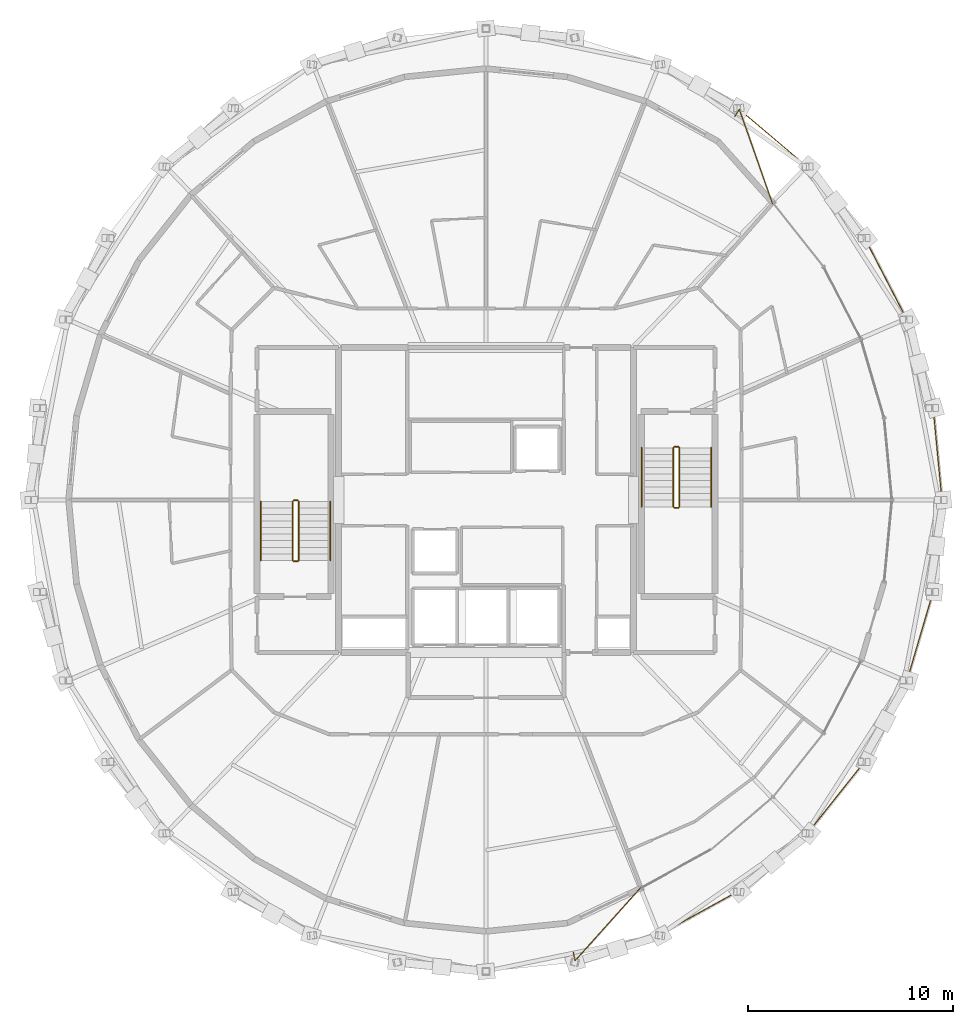
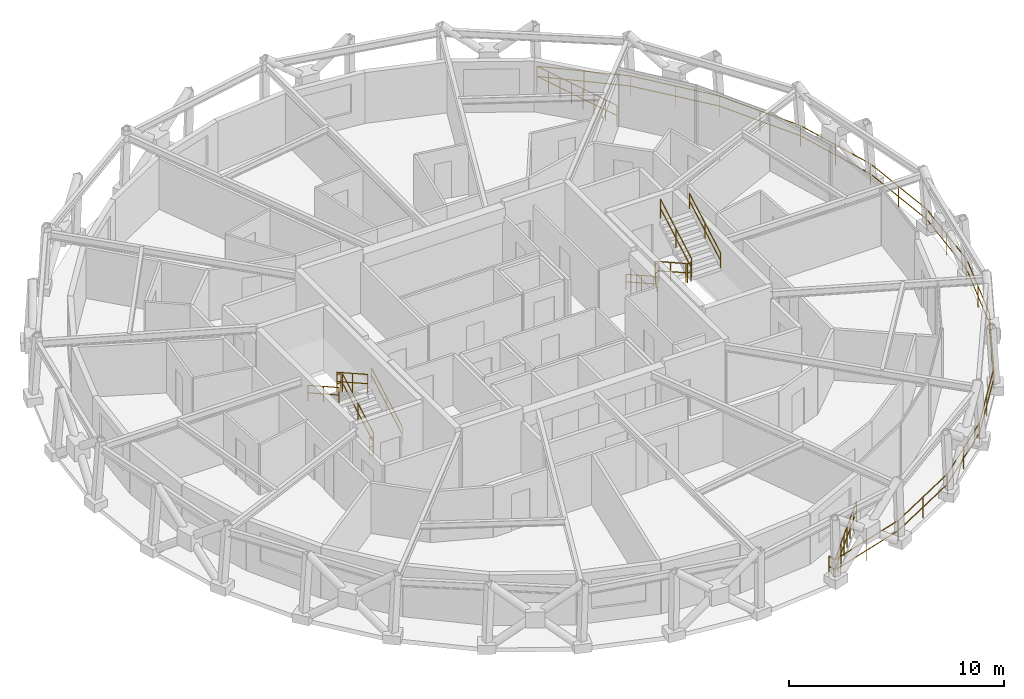
# One storey, part 15 of 15: 15 railings.
"""IFC4 building model written with IfcOpenShell, lengths in metres."""

from ifc_helpers import new_model, si_unit, direction, frame, origin, origin_2d, place, context, subcontext, project, spatial, circle, extrude, material, type_object, element, save


model = new_model("IFC4")

# Units and contexts
model_context = context("Model", 3, precision=1e-05, world=origin(), true_north=direction((0.0, 1.0)))
body_context = subcontext(model_context, "Body", "Model", "MODEL_VIEW")
ifc_project = project(units=[si_unit("LENGTHUNIT", "METRE"), si_unit("AREAUNIT", "SQUARE_METRE"), si_unit("VOLUMEUNIT", "CUBIC_METRE"), si_unit("PLANEANGLEUNIT", "RADIAN"), si_unit("MASSUNIT", "GRAM", prefix="KILO")], contexts=[model_context])

# Site, building, storey
site_placement = place(None, origin())
site = spatial("IfcSite", under=ifc_project, at=site_placement, CompositionType="ELEMENT")
building_placement = place(site_placement, origin())
building = spatial("IfcBuilding", under=site, at=building_placement, Name="Veldorina Hangang Commons", CompositionType="ELEMENT")
storey_placement = place(building_placement, frame((0.0, 0.0, 258.0)))
storey = spatial("IfcBuildingStorey", under=building, at=storey_placement, Name="L67", CompositionType="ELEMENT", Elevation=258.0)

# Railings
ifc_material_1 = material(Name="Glass Laminated Safety Balustrade", Category="glass")
railing_type_1 = type_object("IfcRailingType", Name="RL-BAL-LOGGIA", PredefinedType="BALUSTRADE", material=ifc_material_1)
railing_1_placement = place(storey_placement, frame((36.26611328125, 1.900146484375, 0.0)))
element("IfcRailing", 1, at=railing_1_placement, inside=storey, type_object=railing_type_1, Name="L67 sky-garden loggia end balustrade A", PredefinedType="BALUSTRADE", context=body_context, shape_type="SweptSolid", body=[
    extrude(circle(Radius=0.02392578125, at=origin_2d()), frame((0.0, 0.0, 1.17578125), z_axis=(0.189515762709, -0.981877678575, 0.0), x_axis=(0.981877678575, 0.189515762709, 0.0)), (0.0, 0.0, 1.0), 0.419921875),
    extrude(circle(Radius=0.02392578125, at=origin_2d()), frame((0.0, 0.0, 0.60009765625), z_axis=(0.189515762709, -0.981877678575, 0.0), x_axis=(0.981877678575, 0.189515762709, 0.0)), (0.0, 0.0, 1.0), 0.419921875),
    extrude(circle(Radius=0.02392578125, at=origin_2d()), frame((0.07958984375, -0.412353515625, 1.17578125), z_axis=(0.667973578139, 0.744184989709, 0.0), x_axis=(-0.744184989709, 0.667973578139, 0.0)), (0.0, 0.0, 1.0), 4.833984375),
    extrude(circle(Radius=0.02392578125, at=origin_2d()), frame((0.07958984375, -0.412353515625, 0.60009765625), z_axis=(0.667973578139, 0.744184989709, 0.0), x_axis=(-0.744184989709, 0.667973578139, 0.0)), (0.0, 0.0, 1.0), 4.833984375),
    extrude(circle(Radius=0.02099609375, at=origin_2d()), origin(), (0.0, 0.0, 1.0), 1.15185546875),
    extrude(circle(Radius=0.02099609375, at=origin_2d()), frame((0.07958984375, -0.412353515625, 0.0)), (0.0, 0.0, 1.0), 1.15185546875),
    extrude(circle(Radius=0.02099609375, at=origin_2d()), frame((0.540771484375, 0.1015625, 0.0)), (0.0, 0.0, 1.0), 1.15185546875),
    extrude(circle(Radius=0.02099609375, at=origin_2d()), frame((1.002197265625, 0.615478515625, 0.0)), (0.0, 0.0, 1.0), 1.15185546875),
    extrude(circle(Radius=0.02099609375, at=origin_2d()), frame((1.46337890625, 1.12939453125, 0.0)), (0.0, 0.0, 1.0), 1.15185546875),
    extrude(circle(Radius=0.02099609375, at=origin_2d()), frame((1.9248046875, 1.643310546875, 0.0)), (0.0, 0.0, 1.0), 1.15185546875),
    extrude(circle(Radius=0.02099609375, at=origin_2d()), frame((2.385986328125, 2.1572265625, 0.0)), (0.0, 0.0, 1.0), 1.15185546875),
    extrude(circle(Radius=0.02099609375, at=origin_2d()), frame((2.847412109375, 2.671142578125, 0.0)), (0.0, 0.0, 1.0), 1.15185546875),
    extrude(circle(Radius=0.02099609375, at=origin_2d()), frame((3.30859375, 3.18505859375, 0.0)), (0.0, 0.0, 1.0), 1.15185546875),
])
railing_2_placement = place(storey_placement, frame((44.146484375, 42.73193359375, 0.0)))
element("IfcRailing", 2, at=railing_2_placement, inside=storey, type_object=railing_type_1, Name="L67 sky-garden loggia end balustrade B", PredefinedType="BALUSTRADE", context=body_context, shape_type="SweptSolid", body=[
    extrude(circle(Radius=0.02392578125, at=origin_2d()), frame((0.0, 0.0, 1.17578125), z_axis=(0.543925765735, 0.839133339446, 0.0), x_axis=(-0.839133339446, 0.543925765735, 0.0)), (0.0, 0.0, 1.0), 0.420166015625),
    extrude(circle(Radius=0.02392578125, at=origin_2d()), frame((0.0, 0.0, 0.60009765625), z_axis=(0.543925765735, 0.839133339446, 0.0), x_axis=(-0.839133339446, 0.543925765735, 0.0)), (0.0, 0.0, 1.0), 0.420166015625),
    extrude(circle(Radius=0.02392578125, at=origin_2d()), frame((0.228515625, 0.3525390625, 1.17578125), z_axis=(0.33185267974, -0.943331224411, 0.0), x_axis=(0.943331224411, 0.33185267974, 0.0)), (0.0, 0.0, 1.0), 4.885009765625),
    extrude(circle(Radius=0.02392578125, at=origin_2d()), frame((0.228515625, 0.3525390625, 0.60009765625), z_axis=(0.33185267974, -0.943331224411, 0.0), x_axis=(0.943331224411, 0.33185267974, 0.0)), (0.0, 0.0, 1.0), 4.885009765625),
    extrude(circle(Radius=0.02099609375, at=origin_2d()), origin(), (0.0, 0.0, 1.0), 1.15185546875),
    extrude(circle(Radius=0.02099609375, at=origin_2d()), frame((0.228515625, 0.3525390625, 0.0)), (0.0, 0.0, 1.0), 1.15185546875),
    extrude(circle(Radius=0.02099609375, at=origin_2d()), frame((0.460205078125, -0.3056640625, 0.0)), (0.0, 0.0, 1.0), 1.15185546875),
    extrude(circle(Radius=0.02099609375, at=origin_2d()), frame((0.691650390625, -0.964111328125, 0.0)), (0.0, 0.0, 1.0), 1.15185546875),
    extrude(circle(Radius=0.02099609375, at=origin_2d()), frame((0.92333984375, -1.622314453125, 0.0)), (0.0, 0.0, 1.0), 1.15185546875),
    extrude(circle(Radius=0.02099609375, at=origin_2d()), frame((1.15478515625, -2.28076171875, 0.0)), (0.0, 0.0, 1.0), 1.15185546875),
    extrude(circle(Radius=0.02099609375, at=origin_2d()), frame((1.386474609375, -2.93896484375, 0.0)), (0.0, 0.0, 1.0), 1.15185546875),
    extrude(circle(Radius=0.02099609375, at=origin_2d()), frame((1.617919921875, -3.597412109375, 0.0)), (0.0, 0.0, 1.0), 1.15185546875),
    extrude(circle(Radius=0.02099609375, at=origin_2d()), frame((1.849609375, -4.255615234375, 0.0)), (0.0, 0.0, 1.0), 1.15185546875),
])
railing_3_placement = place(storey_placement, frame((36.345703125, 1.48779296875, 0.0)))
element("IfcRailing", 3, at=railing_3_placement, inside=storey, type_object=railing_type_1, Name="L67 sky-garden loggia outer balustrade", PredefinedType="BALUSTRADE", context=body_context, shape_type="SweptSolid", body=[
    extrude(circle(Radius=0.02392578125, at=origin_2d()), frame((0.0, 0.0, 1.17578125), z_axis=(0.954439285597, 0.298405177752, 0.0), x_axis=(-0.298405177752, 0.954439285597, 0.0)), (0.0, 0.0, 1.0), 4.3779296875),
    extrude(circle(Radius=0.02392578125, at=origin_2d()), frame((0.0, 0.0, 0.60009765625), z_axis=(0.954439285597, 0.298405177752, 0.0), x_axis=(-0.298405177752, 0.954439285597, 0.0)), (0.0, 0.0, 1.0), 4.3779296875),
    extrude(circle(Radius=0.02392578125, at=origin_2d()), frame((4.178466796875, 1.306396484375, 1.17578125), z_axis=(0.875890943782, 0.482509123852, 0.0), x_axis=(-0.482509123852, 0.875890943782, 0.0)), (0.0, 0.0, 1.0), 4.396484375),
    extrude(circle(Radius=0.02392578125, at=origin_2d()), frame((4.178466796875, 1.306396484375, 0.60009765625), z_axis=(0.875890943782, 0.482509123852, 0.0), x_axis=(-0.482509123852, 0.875890943782, 0.0)), (0.0, 0.0, 1.0), 4.396484375),
    extrude(circle(Radius=0.02392578125, at=origin_2d()), frame((8.029296875, 3.427734375, 1.17578125), z_axis=(0.76347426248, 0.645838254155, 0.0), x_axis=(-0.645838254155, 0.76347426248, 0.0)), (0.0, 0.0, 1.0), 4.420654296875),
    extrude(circle(Radius=0.02392578125, at=origin_2d()), frame((8.029296875, 3.427734375, 0.60009765625), z_axis=(0.76347426248, 0.645838254155, 0.0), x_axis=(-0.645838254155, 0.76347426248, 0.0)), (0.0, 0.0, 1.0), 4.420654296875),
    extrude(circle(Radius=0.02392578125, at=origin_2d()), frame((11.404296875, 6.28271484375, 1.17578125), z_axis=(0.622932382034, 0.782275685045, 0.0), x_axis=(-0.782275685045, 0.622932382034, 0.0)), (0.0, 0.0, 1.0), 4.4462890625),
    extrude(circle(Radius=0.02392578125, at=origin_2d()), frame((11.404296875, 6.28271484375, 0.60009765625), z_axis=(0.622932382034, 0.782275685045, 0.0), x_axis=(-0.782275685045, 0.622932382034, 0.0)), (0.0, 0.0, 1.0), 4.4462890625),
    extrude(circle(Radius=0.02392578125, at=origin_2d()), frame((14.174072265625, 9.760986328125, 1.17578125), z_axis=(0.460382528719, 0.887720635814, 0.0), x_axis=(-0.887720635814, 0.460382528719, 0.0)), (0.0, 0.0, 1.0), 4.469970703125),
    extrude(circle(Radius=0.02392578125, at=origin_2d()), frame((14.174072265625, 9.760986328125, 0.60009765625), z_axis=(0.460382528719, 0.887720635814, 0.0), x_axis=(-0.887720635814, 0.460382528719, 0.0)), (0.0, 0.0, 1.0), 4.469970703125),
    extrude(circle(Radius=0.02392578125, at=origin_2d()), frame((16.23193359375, 13.72900390625, 1.17578125), z_axis=(0.282363629253, 0.959307448566, 0.0), x_axis=(-0.959307448566, 0.282363629253, 0.0)), (0.0, 0.0, 1.0), 4.48828125),
    extrude(circle(Radius=0.02392578125, at=origin_2d()), frame((16.23193359375, 13.72900390625, 0.60009765625), z_axis=(0.282363629253, 0.959307448566, 0.0), x_axis=(-0.959307448566, 0.282363629253, 0.0)), (0.0, 0.0, 1.0), 4.48828125),
    extrude(circle(Radius=0.02392578125, at=origin_2d()), frame((17.499267578125, 18.03466796875, 1.17578125), z_axis=(0.09509597203, 0.995468109034, 0.0), x_axis=(-0.995468109034, 0.09509597203, 0.0)), (0.0, 0.0, 1.0), 4.497802734375),
    extrude(circle(Radius=0.02392578125, at=origin_2d()), frame((17.499267578125, 18.03466796875, 0.60009765625), z_axis=(0.09509597203, 0.995468109034, 0.0), x_axis=(-0.995468109034, 0.09509597203, 0.0)), (0.0, 0.0, 1.0), 4.497802734375),
    extrude(circle(Radius=0.02392578125, at=origin_2d()), frame((17.927001953125, 22.51220703125, 1.17578125), z_axis=(-0.09509597203, 0.995468109034, 0.0), x_axis=(-0.995468109034, -0.09509597203, 0.0)), (0.0, 0.0, 1.0), 4.497802734375),
    extrude(circle(Radius=0.02392578125, at=origin_2d()), frame((17.927001953125, 22.51220703125, 0.60009765625), z_axis=(-0.09509597203, 0.995468109034, 0.0), x_axis=(-0.995468109034, -0.09509597203, 0.0)), (0.0, 0.0, 1.0), 4.497802734375),
    extrude(circle(Radius=0.02392578125, at=origin_2d()), frame((17.499267578125, 26.98974609375, 1.17578125), z_axis=(-0.282363629253, 0.959307448566, 0.0), x_axis=(-0.959307448566, -0.282363629253, 0.0)), (0.0, 0.0, 1.0), 4.48828125),
    extrude(circle(Radius=0.02392578125, at=origin_2d()), frame((17.499267578125, 26.98974609375, 0.60009765625), z_axis=(-0.282363629253, 0.959307448566, 0.0), x_axis=(-0.959307448566, -0.282363629253, 0.0)), (0.0, 0.0, 1.0), 4.48828125),
    extrude(circle(Radius=0.02392578125, at=origin_2d()), frame((16.23193359375, 31.29541015625, 1.17578125), z_axis=(-0.460382528719, 0.887720635814, 0.0), x_axis=(-0.887720635814, -0.460382528719, 0.0)), (0.0, 0.0, 1.0), 4.469970703125),
    extrude(circle(Radius=0.02392578125, at=origin_2d()), frame((16.23193359375, 31.29541015625, 0.60009765625), z_axis=(-0.460382528719, 0.887720635814, 0.0), x_axis=(-0.887720635814, -0.460382528719, 0.0)), (0.0, 0.0, 1.0), 4.469970703125),
    extrude(circle(Radius=0.02392578125, at=origin_2d()), frame((14.174072265625, 35.263427734375, 1.17578125), z_axis=(-0.622932382034, 0.782275685045, 0.0), x_axis=(-0.782275685045, -0.622932382034, 0.0)), (0.0, 0.0, 1.0), 4.4462890625),
    extrude(circle(Radius=0.02392578125, at=origin_2d()), frame((14.174072265625, 35.263427734375, 0.60009765625), z_axis=(-0.622932382034, 0.782275685045, 0.0), x_axis=(-0.782275685045, -0.622932382034, 0.0)), (0.0, 0.0, 1.0), 4.4462890625),
    extrude(circle(Radius=0.02392578125, at=origin_2d()), frame((11.404296875, 38.74169921875, 1.17578125), z_axis=(-0.76347426248, 0.645838254155, 0.0), x_axis=(-0.645838254155, -0.76347426248, 0.0)), (0.0, 0.0, 1.0), 4.420654296875),
    extrude(circle(Radius=0.02392578125, at=origin_2d()), frame((11.404296875, 38.74169921875, 0.60009765625), z_axis=(-0.76347426248, 0.645838254155, 0.0), x_axis=(-0.645838254155, -0.76347426248, 0.0)), (0.0, 0.0, 1.0), 4.420654296875),
    extrude(circle(Radius=0.02099609375, at=origin_2d()), origin(), (0.0, 0.0, 1.0), 1.15185546875),
    extrude(circle(Radius=0.02099609375, at=origin_2d()), frame((2.08935546875, 0.6533203125, 0.0)), (0.0, 0.0, 1.0), 1.15185546875),
    extrude(circle(Radius=0.02099609375, at=origin_2d()), frame((4.178466796875, 1.306396484375, 0.0)), (0.0, 0.0, 1.0), 1.15185546875),
    extrude(circle(Radius=0.02099609375, at=origin_2d()), frame((6.10400390625, 2.3671875, 0.0)), (0.0, 0.0, 1.0), 1.15185546875),
    extrude(circle(Radius=0.02099609375, at=origin_2d()), frame((8.029296875, 3.427734375, 0.0)), (0.0, 0.0, 1.0), 1.15185546875),
    extrude(circle(Radius=0.02099609375, at=origin_2d()), frame((9.716796875, 4.855224609375, 0.0)), (0.0, 0.0, 1.0), 1.15185546875),
    extrude(circle(Radius=0.02099609375, at=origin_2d()), frame((11.404296875, 6.28271484375, 0.0)), (0.0, 0.0, 1.0), 1.15185546875),
    extrude(circle(Radius=0.02099609375, at=origin_2d()), frame((12.7890625, 8.02197265625, 0.0)), (0.0, 0.0, 1.0), 1.15185546875),
    extrude(circle(Radius=0.02099609375, at=origin_2d()), frame((14.174072265625, 9.760986328125, 0.0)), (0.0, 0.0, 1.0), 1.15185546875),
    extrude(circle(Radius=0.02099609375, at=origin_2d()), frame((15.203125, 11.7451171875, 0.0)), (0.0, 0.0, 1.0), 1.15185546875),
    extrude(circle(Radius=0.02099609375, at=origin_2d()), frame((16.23193359375, 13.72900390625, 0.0)), (0.0, 0.0, 1.0), 1.15185546875),
    extrude(circle(Radius=0.02099609375, at=origin_2d()), frame((16.86572265625, 15.8818359375, 0.0)), (0.0, 0.0, 1.0), 1.15185546875),
    extrude(circle(Radius=0.02099609375, at=origin_2d()), frame((17.499267578125, 18.03466796875, 0.0)), (0.0, 0.0, 1.0), 1.15185546875),
    extrude(circle(Radius=0.02099609375, at=origin_2d()), frame((17.713134765625, 20.2734375, 0.0)), (0.0, 0.0, 1.0), 1.15185546875),
    extrude(circle(Radius=0.02099609375, at=origin_2d()), frame((17.927001953125, 22.51220703125, 0.0)), (0.0, 0.0, 1.0), 1.15185546875),
    extrude(circle(Radius=0.02099609375, at=origin_2d()), frame((17.713134765625, 24.7509765625, 0.0)), (0.0, 0.0, 1.0), 1.15185546875),
    extrude(circle(Radius=0.02099609375, at=origin_2d()), frame((17.499267578125, 26.98974609375, 0.0)), (0.0, 0.0, 1.0), 1.15185546875),
    extrude(circle(Radius=0.02099609375, at=origin_2d()), frame((16.86572265625, 29.142578125, 0.0)), (0.0, 0.0, 1.0), 1.15185546875),
    extrude(circle(Radius=0.02099609375, at=origin_2d()), frame((16.23193359375, 31.29541015625, 0.0)), (0.0, 0.0, 1.0), 1.15185546875),
    extrude(circle(Radius=0.02099609375, at=origin_2d()), frame((15.203125, 33.279296875, 0.0)), (0.0, 0.0, 1.0), 1.15185546875),
    extrude(circle(Radius=0.02099609375, at=origin_2d()), frame((14.174072265625, 35.263427734375, 0.0)), (0.0, 0.0, 1.0), 1.15185546875),
    extrude(circle(Radius=0.02099609375, at=origin_2d()), frame((12.7890625, 37.00244140625, 0.0)), (0.0, 0.0, 1.0), 1.15185546875),
    extrude(circle(Radius=0.02099609375, at=origin_2d()), frame((11.404296875, 38.74169921875, 0.0)), (0.0, 0.0, 1.0), 1.15185546875),
    extrude(circle(Radius=0.02099609375, at=origin_2d()), frame((9.716796875, 40.169189453125, 0.0)), (0.0, 0.0, 1.0), 1.15185546875),
    extrude(circle(Radius=0.02099609375, at=origin_2d()), frame((8.029296875, 41.5966796875, 0.0)), (0.0, 0.0, 1.0), 1.15185546875),
])
ifc_material_2 = material(Name="Steel Painted Balustrade", Category="steel")
railing_type_2 = type_object("IfcRailingType", Name="RL-GRD-STAIR", PredefinedType="GUARDRAIL", material=ifc_material_2)
railing_4_placement = place(storey_placement, frame((22.85009765625, 21.050048828125, 0.179931640625)))
element("IfcRailing", 4, at=railing_4_placement, inside=storey, type_object=railing_type_2, Name="L67 ST-1 stair guard 1", PredefinedType="GUARDRAIL", context=body_context, shape_type="SweptSolid", body=[
    extrude(circle(Radius=0.02392578125, at=origin_2d()), frame((0.0, 0.0, 1.076171875), z_axis=(0.0, 0.87155185771, 0.490303333991), x_axis=(-1.0, 0.0, 0.0)), (0.0, 0.0, 1.0), 3.30419921875),
    extrude(circle(Radius=0.02392578125, at=origin_2d()), frame((0.0, 0.0, 0.550048828125), z_axis=(0.0, 0.87155185771, 0.490303333991), x_axis=(-1.0, 0.0, 0.0)), (0.0, 0.0, 1.0), 3.30419921875),
    extrude(circle(Radius=0.02099609375, at=origin_2d()), origin(), (0.0, 0.0, 1.0), 1.052001953125),
    extrude(circle(Radius=0.02099609375, at=origin_2d()), frame((0.0, 1.43994140625, 0.81005859375)), (0.0, 0.0, 1.0), 1.052001953125),
    extrude(circle(Radius=0.02099609375, at=origin_2d()), frame((0.0, 2.8798828125, 1.6201171875)), (0.0, 0.0, 1.0), 1.052001953125),
])
railing_5_placement = place(storey_placement, frame((22.800048828125, 23.97998046875, 1.800048828125)))
element("IfcRailing", 5, at=railing_5_placement, inside=storey, type_object=railing_type_2, Name="L67 ST-1 stair guard 2", PredefinedType="GUARDRAIL", context=body_context, shape_type="SweptSolid", body=[
    extrude(circle(Radius=0.02392578125, at=origin_2d()), frame((0.0, 0.0, 1.076171875), z_axis=(-1.0, 0.0, 0.0), x_axis=(0.0, -1.0, 0.0)), (0.0, 0.0, 1.0), 0.199951171875),
    extrude(circle(Radius=0.02392578125, at=origin_2d()), frame((0.0, 0.0, 0.550048828125), z_axis=(-1.0, 0.0, 0.0), x_axis=(0.0, -1.0, 0.0)), (0.0, 0.0, 1.0), 0.199951171875),
    extrude(circle(Radius=0.02099609375, at=origin_2d()), origin(), (0.0, 0.0, 1.0), 1.052001953125),
    extrude(circle(Radius=0.02099609375, at=origin_2d()), frame((-0.199951171875, 0.0, 0.0)), (0.0, 0.0, 1.0), 1.052001953125),
])
railing_6_placement = place(storey_placement, frame((22.550048828125, 23.929931640625, 1.97998046875)))
element("IfcRailing", 6, at=railing_6_placement, inside=storey, type_object=railing_type_2, Name="L67 ST-1 stair guard 3", PredefinedType="GUARDRAIL", context=body_context, shape_type="SweptSolid", body=[
    extrude(circle(Radius=0.02392578125, at=origin_2d()), frame((0.0, 0.0, 1.076171875), z_axis=(0.0, -0.87155185771, 0.490303333991), x_axis=(1.0, 0.0, 0.0)), (0.0, 0.0, 1.0), 3.30419921875),
    extrude(circle(Radius=0.02392578125, at=origin_2d()), frame((0.0, 0.0, 0.550048828125), z_axis=(0.0, -0.87155185771, 0.490303333991), x_axis=(1.0, 0.0, 0.0)), (0.0, 0.0, 1.0), 3.30419921875),
    extrude(circle(Radius=0.02099609375, at=origin_2d()), origin(), (0.0, 0.0, 1.0), 1.052001953125),
    extrude(circle(Radius=0.02099609375, at=origin_2d()), frame((0.0, -1.43994140625, 0.81005859375)), (0.0, 0.0, 1.0), 1.052001953125),
    extrude(circle(Radius=0.02099609375, at=origin_2d()), frame((0.0, -2.8798828125, 1.6201171875)), (0.0, 0.0, 1.0), 1.052001953125),
])
railing_7_placement = place(storey_placement, frame((22.800048828125, 21.0, 0.0)))
element("IfcRailing", 7, at=railing_7_placement, inside=storey, type_object=railing_type_2, Name="L67 ST-1 stair guard 4", PredefinedType="GUARDRAIL", context=body_context, shape_type="SweptSolid", body=[
    extrude(circle(Radius=0.02392578125, at=origin_2d()), frame((0.0, 0.0, 1.076171875), z_axis=(-1.0, 0.0, 0.0), x_axis=(0.0, -1.0, 0.0)), (0.0, 0.0, 1.0), 0.199951171875),
    extrude(circle(Radius=0.02392578125, at=origin_2d()), frame((0.0, 0.0, 0.550048828125), z_axis=(-1.0, 0.0, 0.0), x_axis=(0.0, -1.0, 0.0)), (0.0, 0.0, 1.0), 0.199951171875),
    extrude(circle(Radius=0.02099609375, at=origin_2d()), origin(), (0.0, 0.0, 1.0), 1.052001953125),
    extrude(circle(Radius=0.02099609375, at=origin_2d()), frame((-0.199951171875, 0.0, 0.0)), (0.0, 0.0, 1.0), 1.052001953125),
])
railing_8_placement = place(storey_placement, frame((41.14990234375, 26.550048828125, 0.179931640625)))
element("IfcRailing", 8, at=railing_8_placement, inside=storey, type_object=railing_type_2, Name="L67 ST-2 stair guard 1", PredefinedType="GUARDRAIL", context=body_context, shape_type="SweptSolid", body=[
    extrude(circle(Radius=0.02392578125, at=origin_2d()), frame((0.0, 0.0, 1.076171875), z_axis=(0.0, -0.871569617843, 0.490271762652), x_axis=(1.0, 0.0, 0.0)), (0.0, 0.0, 1.0), 3.304443359375),
    extrude(circle(Radius=0.02392578125, at=origin_2d()), frame((0.0, 0.0, 0.550048828125), z_axis=(0.0, -0.871569617843, 0.490271762652), x_axis=(1.0, 0.0, 0.0)), (0.0, 0.0, 1.0), 3.304443359375),
    extrude(circle(Radius=0.02099609375, at=origin_2d()), origin(), (0.0, 0.0, 1.0), 1.052001953125),
    extrude(circle(Radius=0.02099609375, at=origin_2d()), frame((0.0, -1.43994140625, 0.81005859375)), (0.0, 0.0, 1.0), 1.052001953125),
    extrude(circle(Radius=0.02099609375, at=origin_2d()), frame((0.0, -2.880126953125, 1.6201171875)), (0.0, 0.0, 1.0), 1.052001953125),
])
railing_9_placement = place(storey_placement, frame((41.199951171875, 23.6201171875, 1.800048828125)))
element("IfcRailing", 9, at=railing_9_placement, inside=storey, type_object=railing_type_2, Name="L67 ST-2 stair guard 2", PredefinedType="GUARDRAIL", context=body_context, shape_type="SweptSolid", body=[
    extrude(circle(Radius=0.02392578125, at=origin_2d()), frame((0.0, 0.0, 1.076171875), z_axis=(1.0, 0.0, 0.0), x_axis=(0.0, 1.0, 0.0)), (0.0, 0.0, 1.0), 0.199951171875),
    extrude(circle(Radius=0.02392578125, at=origin_2d()), frame((0.0, 0.0, 0.550048828125), z_axis=(1.0, 0.0, 0.0), x_axis=(0.0, 1.0, 0.0)), (0.0, 0.0, 1.0), 0.199951171875),
    extrude(circle(Radius=0.02099609375, at=origin_2d()), origin(), (0.0, 0.0, 1.0), 1.052001953125),
    extrude(circle(Radius=0.02099609375, at=origin_2d()), frame((0.199951171875, 0.0, 0.0)), (0.0, 0.0, 1.0), 1.052001953125),
])
railing_10_placement = place(storey_placement, frame((41.449951171875, 23.669921875, 1.97998046875)))
element("IfcRailing", 10, at=railing_10_placement, inside=storey, type_object=railing_type_2, Name="L67 ST-2 stair guard 3", PredefinedType="GUARDRAIL", context=body_context, shape_type="SweptSolid", body=[
    extrude(circle(Radius=0.02392578125, at=origin_2d()), frame((0.0, 0.0, 1.076171875), z_axis=(0.0, 0.871569617843, 0.490271762652), x_axis=(-1.0, 0.0, 0.0)), (0.0, 0.0, 1.0), 3.304443359375),
    extrude(circle(Radius=0.02392578125, at=origin_2d()), frame((0.0, 0.0, 0.550048828125), z_axis=(0.0, 0.871569617843, 0.490271762652), x_axis=(-1.0, 0.0, 0.0)), (0.0, 0.0, 1.0), 3.304443359375),
    extrude(circle(Radius=0.02099609375, at=origin_2d()), origin(), (0.0, 0.0, 1.0), 1.052001953125),
    extrude(circle(Radius=0.02099609375, at=origin_2d()), frame((0.0, 1.43994140625, 0.81005859375)), (0.0, 0.0, 1.0), 1.052001953125),
    extrude(circle(Radius=0.02099609375, at=origin_2d()), frame((0.0, 2.880126953125, 1.6201171875)), (0.0, 0.0, 1.0), 1.052001953125),
])
railing_11_placement = place(storey_placement, frame((41.199951171875, 26.60009765625, 0.0)))
element("IfcRailing", 11, at=railing_11_placement, inside=storey, type_object=railing_type_2, Name="L67 ST-2 stair guard 4", PredefinedType="GUARDRAIL", context=body_context, shape_type="SweptSolid", body=[
    extrude(circle(Radius=0.02392578125, at=origin_2d()), frame((0.0, 0.0, 1.076171875), z_axis=(1.0, 0.0, 0.0), x_axis=(0.0, 1.0, 0.0)), (0.0, 0.0, 1.0), 0.199951171875),
    extrude(circle(Radius=0.02392578125, at=origin_2d()), frame((0.0, 0.0, 0.550048828125), z_axis=(1.0, 0.0, 0.0), x_axis=(0.0, 1.0, 0.0)), (0.0, 0.0, 1.0), 0.199951171875),
    extrude(circle(Radius=0.02099609375, at=origin_2d()), origin(), (0.0, 0.0, 1.0), 1.052001953125),
    extrude(circle(Radius=0.02099609375, at=origin_2d()), frame((0.199951171875, 0.0, 0.0)), (0.0, 0.0, 1.0), 1.052001953125),
])
ifc_material_3 = material(Name="Stainless Steel Brushed 316", Category="steel")
railing_type_3 = type_object("IfcRailingType", Name="RL-HND-STAIR", PredefinedType="HANDRAIL", material=ifc_material_3)
railing_12_placement = place(storey_placement, frame((24.39990234375, 21.050048828125, 0.179931640625)))
element("IfcRailing", 12, at=railing_12_placement, inside=storey, type_object=railing_type_3, Name="L67 ST-1 stair handrail 1", PredefinedType="HANDRAIL", context=body_context, shape_type="SweptSolid", body=[
    extrude(circle(Radius=0.02392578125, at=origin_2d()), frame((0.0, 0.0, 0.8759765625), z_axis=(0.0, 0.87155185771, 0.490303333991), x_axis=(-1.0, 0.0, 0.0)), (0.0, 0.0, 1.0), 3.30419921875),
    extrude(circle(Radius=0.02392578125, at=origin_2d()), frame((0.0, 0.0, 0.449951171875), z_axis=(0.0, 0.87155185771, 0.490303333991), x_axis=(-1.0, 0.0, 0.0)), (0.0, 0.0, 1.0), 3.30419921875),
    extrude(circle(Radius=0.02099609375, at=origin_2d()), origin(), (0.0, 0.0, 1.0), 0.851806640625),
    extrude(circle(Radius=0.02099609375, at=origin_2d()), frame((0.0, 1.43994140625, 0.81005859375)), (0.0, 0.0, 1.0), 0.851806640625),
    extrude(circle(Radius=0.02099609375, at=origin_2d()), frame((0.0, 2.8798828125, 1.6201171875)), (0.0, 0.0, 1.0), 0.851806640625),
])
railing_13_placement = place(storey_placement, frame((21.0, 23.929931640625, 1.97998046875)))
element("IfcRailing", 13, at=railing_13_placement, inside=storey, type_object=railing_type_3, Name="L67 ST-1 stair handrail 2", PredefinedType="HANDRAIL", context=body_context, shape_type="SweptSolid", body=[
    extrude(circle(Radius=0.02392578125, at=origin_2d()), frame((0.0, 0.0, 0.8759765625), z_axis=(0.0, -0.87155185771, 0.490303333991), x_axis=(1.0, 0.0, 0.0)), (0.0, 0.0, 1.0), 3.30419921875),
    extrude(circle(Radius=0.02392578125, at=origin_2d()), frame((0.0, 0.0, 0.449951171875), z_axis=(0.0, -0.87155185771, 0.490303333991), x_axis=(1.0, 0.0, 0.0)), (0.0, 0.0, 1.0), 3.30419921875),
    extrude(circle(Radius=0.02099609375, at=origin_2d()), origin(), (0.0, 0.0, 1.0), 0.851806640625),
    extrude(circle(Radius=0.02099609375, at=origin_2d()), frame((0.0, -1.43994140625, 0.81005859375)), (0.0, 0.0, 1.0), 0.851806640625),
    extrude(circle(Radius=0.02099609375, at=origin_2d()), frame((0.0, -2.8798828125, 1.6201171875)), (0.0, 0.0, 1.0), 0.851806640625),
])
railing_14_placement = place(storey_placement, frame((39.60009765625, 26.550048828125, 0.179931640625)))
element("IfcRailing", 14, at=railing_14_placement, inside=storey, type_object=railing_type_3, Name="L67 ST-2 stair handrail 1", PredefinedType="HANDRAIL", context=body_context, shape_type="SweptSolid", body=[
    extrude(circle(Radius=0.02392578125, at=origin_2d()), frame((0.0, 0.0, 0.8759765625), z_axis=(0.0, -0.871569617843, 0.490271762652), x_axis=(1.0, 0.0, 0.0)), (0.0, 0.0, 1.0), 3.304443359375),
    extrude(circle(Radius=0.02392578125, at=origin_2d()), frame((0.0, 0.0, 0.449951171875), z_axis=(0.0, -0.871569617843, 0.490271762652), x_axis=(1.0, 0.0, 0.0)), (0.0, 0.0, 1.0), 3.304443359375),
    extrude(circle(Radius=0.02099609375, at=origin_2d()), origin(), (0.0, 0.0, 1.0), 0.851806640625),
    extrude(circle(Radius=0.02099609375, at=origin_2d()), frame((0.0, -1.43994140625, 0.81005859375)), (0.0, 0.0, 1.0), 0.851806640625),
    extrude(circle(Radius=0.02099609375, at=origin_2d()), frame((0.0, -2.880126953125, 1.6201171875)), (0.0, 0.0, 1.0), 0.851806640625),
])
railing_15_placement = place(storey_placement, frame((43.0, 23.669921875, 1.97998046875)))
element("IfcRailing", 15, at=railing_15_placement, inside=storey, type_object=railing_type_3, Name="L67 ST-2 stair handrail 2", PredefinedType="HANDRAIL", context=body_context, shape_type="SweptSolid", body=[
    extrude(circle(Radius=0.02392578125, at=origin_2d()), frame((0.0, 0.0, 0.8759765625), z_axis=(0.0, 0.871569617843, 0.490271762652), x_axis=(-1.0, 0.0, 0.0)), (0.0, 0.0, 1.0), 3.304443359375),
    extrude(circle(Radius=0.02392578125, at=origin_2d()), frame((0.0, 0.0, 0.449951171875), z_axis=(0.0, 0.871569617843, 0.490271762652), x_axis=(-1.0, 0.0, 0.0)), (0.0, 0.0, 1.0), 3.304443359375),
    extrude(circle(Radius=0.02099609375, at=origin_2d()), origin(), (0.0, 0.0, 1.0), 0.851806640625),
    extrude(circle(Radius=0.02099609375, at=origin_2d()), frame((0.0, 1.43994140625, 0.81005859375)), (0.0, 0.0, 1.0), 0.851806640625),
    extrude(circle(Radius=0.02099609375, at=origin_2d()), frame((0.0, 2.880126953125, 1.6201171875)), (0.0, 0.0, 1.0), 0.851806640625),
])

save(model, "model.ifc")
